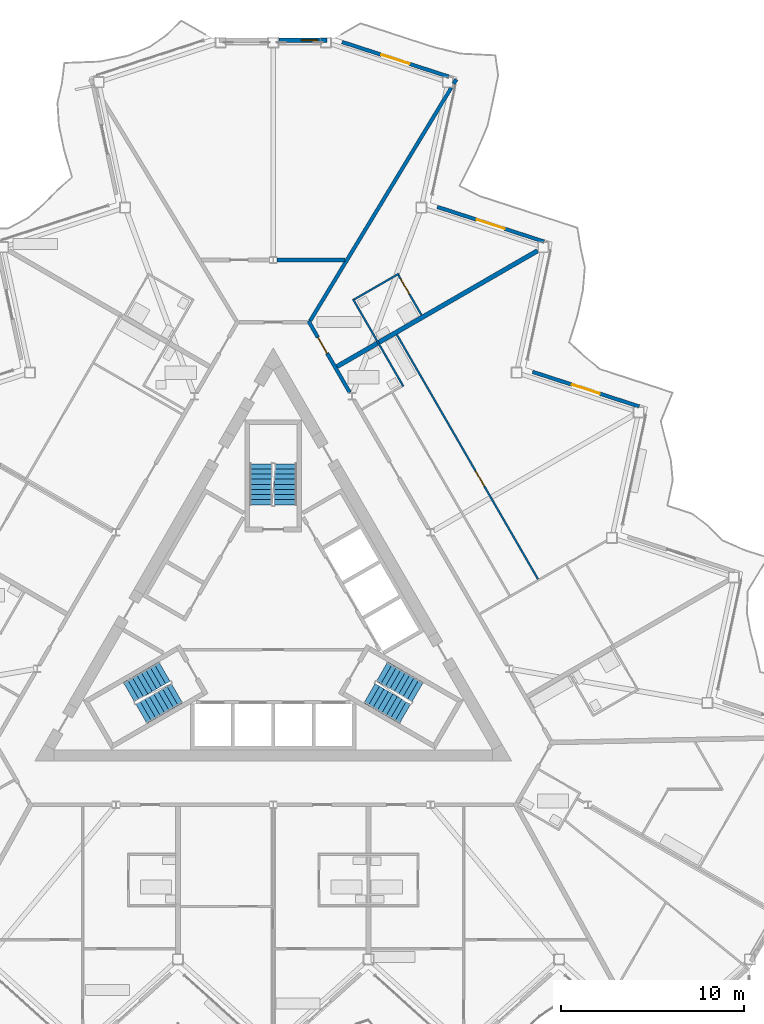
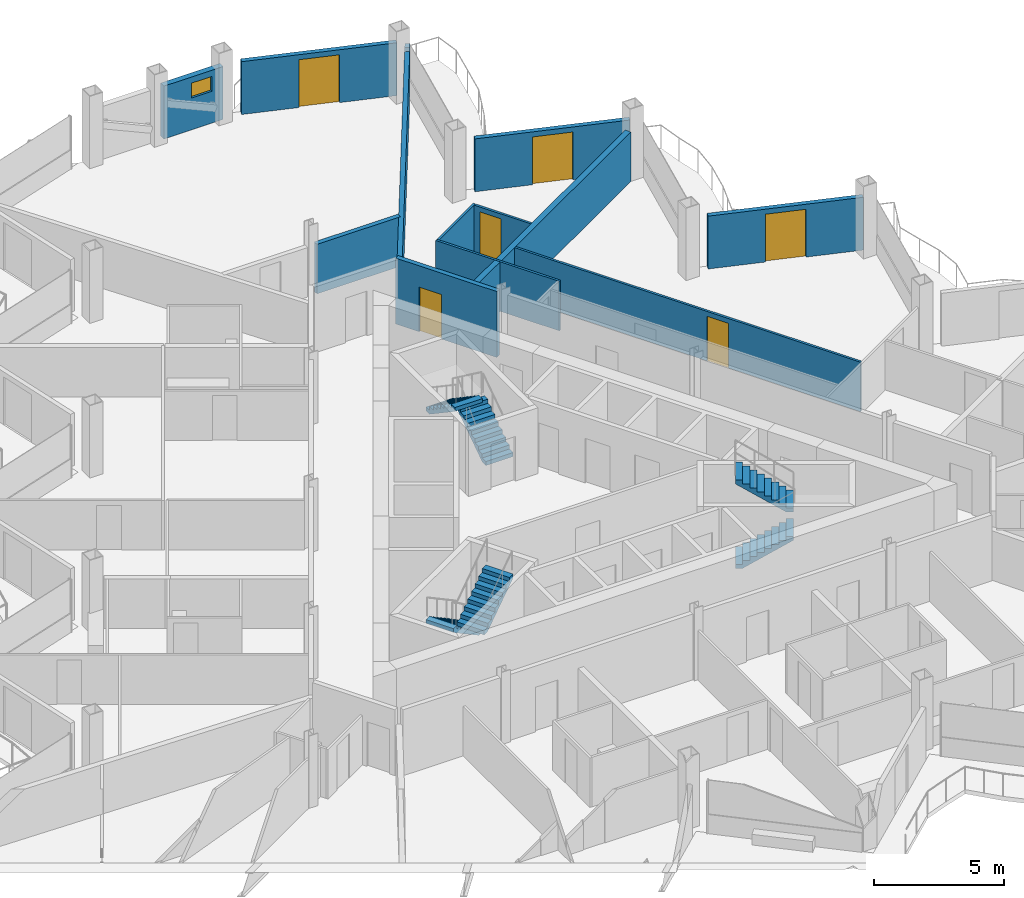
# One storey, part 19 of 27: 13 walls, 6 doors, 6 stair flights, 1 window, 7 openings, 3 elements without a shape of their own.
"""IFC4 building model written with IfcOpenShell, lengths in metres."""

from ifc_helpers import new_model, si_unit, direction, frame, frame_2d, origin, place, context, subcontext, project, spatial, polyline, rectangle, outline, extrude, material, layer, layer_set, type_object, element, fill, aggregate, save


model = new_model("IFC4")

# Units and contexts
model_context = context("Model", 3, precision=1e-05, world=origin(), true_north=direction((0.0, 1.0)))
body_context = subcontext(model_context, "Body", "Model", "MODEL_VIEW")
ifc_project = project(units=[si_unit("LENGTHUNIT", "METRE"), si_unit("AREAUNIT", "SQUARE_METRE"), si_unit("VOLUMEUNIT", "CUBIC_METRE"), si_unit("PLANEANGLEUNIT", "RADIAN"), si_unit("MASSUNIT", "GRAM", prefix="KILO")], contexts=[model_context])

# Site, building, storey
site_placement = place(None, origin())
site = spatial("IfcSite", under=ifc_project, at=site_placement, CompositionType="ELEMENT")
building_placement = place(site_placement, origin())
building = spatial("IfcBuilding", under=site, at=building_placement, Name="Cormorant Prow Tower", CompositionType="ELEMENT")
storey_placement = place(building_placement, frame((0.0, 0.0, 312.0)))
storey = spatial("IfcBuildingStorey", under=building, at=storey_placement, Name="L68", CompositionType="ELEMENT", Elevation=312.0)

# Wall, opening, door
ifc_material_1 = material(Name="Gypsum board corridor wall")
ifc_layer_1 = layer(ifc_material_1, 0.199951171875)
ifc_layer_set_1 = layer_set([ifc_layer_1], Name="Gypsum board corridor wall")
wall_type_1 = type_object("IfcWallType", Name="Corridor wall 200", PredefinedType="PARTITIONING", material=ifc_layer_set_1)
wall_1_placement = place(storey_placement, frame((1.9130859375, 16.497802734375, 0.0), z_axis=(0.0, 0.0, 1.0), x_axis=(0.499950370306, -0.866054055606, 0.0)))
wall_1 = element("IfcWall", 1, at=wall_1_placement, inside=storey, type_object=wall_type_1, Name="Corridor wall", PredefinedType="PARTITIONING", context=body_context, shape_type="SweptSolid", body=[
    extrude(rectangle(XDim=4.5126953125, YDim=0.199951171875, at=frame_2d((2.25634765625, 0.0))), origin(), (0.0, 0.0, 1.0), 3.10009765625),
])
opening_1_placement = place(wall_1_placement, frame((1.053466796875, 0.0, 0.0)))
opening_1 = element("IfcOpeningElement", 2, at=opening_1_placement, cuts=wall_1, Name="Opening L68-F31", PredefinedType="OPENING", context=body_context, shape_type="SweptSolid", body=[
    extrude(rectangle(XDim=1.0, YDim=2.10009765625, at=frame_2d((0.5, 1.050048828125))), frame((0.0, 0.10986328125, 0.0), z_axis=(0.0, -1.0, 0.0), x_axis=(1.0, 0.0, 0.0)), (0.0, 0.0, 1.0), 0.219970703125),
])
ifc_material_2 = material(Name="Timber door leaf", Category="wood")
door_type_1 = type_object("IfcDoorType", Name="Flat or room entrance door 1000x2100", OperationType="NOTDEFINED", PredefinedType="DOOR", material=ifc_material_2)
door_1_placement = place(opening_1_placement, origin())
door_1 = element("IfcDoor", 3, at=door_1_placement, inside=storey, type_object=door_type_1, Name="Studio living, kitchen and sleeping room door", OperationType="SINGLE_SWING_RIGHT", OverallHeight=2.10009765625, OverallWidth=1.0, PredefinedType="DOOR", context=body_context, shape_type="SweptSolid", body=[
    extrude(rectangle(XDim=1.0, YDim=2.10009765625, at=frame_2d((0.5, 1.050048828125))), frame((0.0, 0.02490234375, 0.0), z_axis=(0.0, -1.0, 0.0), x_axis=(1.0, 0.0, 0.0)), (0.0, 0.0, 1.0), 0.050048828125),
])
fill(opening_1, door_1)

# Walls
ifc_material_3 = material(Name="Gypsum board demising wall")
ifc_layer_2 = layer(ifc_material_3, 0.199951171875)
ifc_layer_set_2 = layer_set([ifc_layer_2], Name="Gypsum board demising wall")
wall_type_2 = type_object("IfcWallType", Name="Demising wall 200", PredefinedType="PARTITIONING", material=ifc_layer_set_2)
wall_2_placement = place(storey_placement, frame((2.014892578125, 16.49658203125, 0.0), z_axis=(0.0, 0.0, 1.0), x_axis=(0.517779253395, 0.855514257482, 0.0)))
element("IfcWall", 4, at=wall_2_placement, inside=storey, type_object=wall_type_2, Name="Demising wall", PredefinedType="PARTITIONING", context=body_context, shape_type="SweptSolid", body=[
    extrude(rectangle(XDim=14.853759765625, YDim=0.199951171875, at=frame_2d((7.4267578125, 0.0))), origin(), (0.0, 0.0, 1.0), 2.330078125),
])
wall_3_placement = place(storey_placement, frame((0.207763671875, 19.81103515625, 0.0), z_axis=(0.0, 0.0, 1.0), x_axis=(1.0, 0.0, 0.0)))
element("IfcWall", 5, at=wall_3_placement, inside=storey, type_object=wall_type_2, Name="Demising wall", PredefinedType="PARTITIONING", context=body_context, shape_type="SweptSolid", body=[
    extrude(rectangle(XDim=3.71826171875, YDim=0.199951171875, at=frame_2d((1.859130859375, 0.0))), origin(), (0.0, 0.0, 1.0), 2.330078125),
])
wall_4_placement = place(storey_placement, frame((9.83740234375, 29.421630859375, 0.0), z_axis=(0.0, 0.0, 1.0), x_axis=(0.517419338909, 0.855731983581, 0.0)))
element("IfcWall", 6, at=wall_4_placement, inside=storey, type_object=wall_type_2, Name="Demising wall", PredefinedType="PARTITIONING", context=body_context, shape_type="SweptSolid", body=[
    extrude(rectangle(XDim=0.2822265625, YDim=0.199951171875, at=frame_2d((0.14111328125, 0.0))), origin(), (0.0, 0.0, 1.0), 2.330078125),
])

# Wall, opening, door
ifc_material_4 = material(Name="Gypsum board partition")
ifc_layer_3 = layer(ifc_material_4, 0.10009765625)
ifc_layer_set_3 = layer_set([ifc_layer_3], Name="Gypsum board partition")
wall_type_3 = type_object("IfcWallType", Name="Internal partition 100", PredefinedType="PARTITIONING", material=ifc_layer_set_3)
wall_5_placement = place(storey_placement, frame((6.73974609375, 15.7392578125, 0.0), z_axis=(0.0, 0.0, 1.0), x_axis=(0.499995022685, -0.86602827742, 0.0)))
wall_5 = element("IfcWall", 7, at=wall_5_placement, inside=storey, type_object=wall_type_3, Name="Internal partition", PredefinedType="PARTITIONING", context=body_context, shape_type="SweptSolid", body=[
    extrude(rectangle(XDim=15.403564453125, YDim=0.10009765625, at=frame_2d((7.70166015625, 0.0))), origin(), (0.0, 0.0, 1.0), 2.330078125),
])
opening_2_placement = place(wall_5_placement, frame((8.58203125, 0.0, 0.0)))
opening_2 = element("IfcOpeningElement", 8, at=opening_2_placement, cuts=wall_5, Name="Opening L68-F28", PredefinedType="OPENING", context=body_context, shape_type="SweptSolid", body=[
    extrude(rectangle(XDim=0.949951171875, YDim=2.10009765625, at=frame_2d((0.47509765625, 1.050048828125))), frame((0.0, 0.06005859375, 0.0), z_axis=(0.0, -1.0, 0.0), x_axis=(1.0, 0.0, 0.0)), (0.0, 0.0, 1.0), 0.1201171875),
])
ifc_material_5 = material(Name="Timber door leaf", Category="wood")
door_type_2 = type_object("IfcDoorType", Name="Bathroom door 950x2100", OperationType="NOTDEFINED", PredefinedType="DOOR", material=ifc_material_5)
door_2_placement = place(opening_2_placement, origin())
door_2 = element("IfcDoor", 9, at=door_2_placement, inside=storey, type_object=door_type_2, Name="Kitchen door", OperationType="SINGLE_SWING_RIGHT", OverallHeight=2.10009765625, OverallWidth=0.949951171875, PredefinedType="DOOR", context=body_context, shape_type="SweptSolid", body=[
    extrude(rectangle(XDim=0.949951171875, YDim=2.10009765625, at=frame_2d((0.47509765625, 1.050048828125))), frame((0.0, 0.02490234375, 0.0), z_axis=(0.0, -1.0, 0.0), x_axis=(1.0, 0.0, 0.0)), (0.0, 0.0, 1.0), 0.050048828125),
])
fill(opening_2, door_2)

# Walls
wall_6_placement = place(storey_placement, frame((4.348876953125, 17.6787109375, 0.0), z_axis=(0.0, 0.0, 1.0), x_axis=(0.49997732567, -0.866038494419, 0.0)))
element("IfcWall", 10, at=wall_6_placement, inside=storey, type_object=wall_type_3, Name="Internal partition", PredefinedType="PARTITIONING", context=body_context, shape_type="SweptSolid", body=[
    extrude(rectangle(XDim=5.500244140625, YDim=0.10009765625, at=frame_2d((2.75, 0.0))), origin(), (0.0, 0.0, 1.0), 2.330078125),
])
wall_7_placement = place(storey_placement, frame((4.417236328125, 17.660400390625, 0.0), z_axis=(0.0, 0.0, 1.0), x_axis=(0.866034573852, 0.49998411664, 0.0)))
element("IfcWall", 11, at=wall_7_placement, inside=storey, type_object=wall_type_3, Name="Internal partition", PredefinedType="PARTITIONING", context=body_context, shape_type="SweptSolid", body=[
    extrude(rectangle(XDim=2.7998046875, YDim=0.10009765625, at=frame_2d((1.39990234375, 0.0))), origin(), (0.0, 0.0, 1.0), 2.330078125),
])

# Wall, opening, door
wall_8_placement = place(storey_placement, frame((6.82373046875, 18.991943359375, 0.0), z_axis=(0.0, 0.0, 1.0), x_axis=(0.50001820224, -0.866014894461, 0.0)))
wall_8 = element("IfcWall", 12, at=wall_8_placement, inside=storey, type_object=wall_type_3, Name="Internal partition", PredefinedType="PARTITIONING", context=body_context, shape_type="SweptSolid", body=[
    extrude(rectangle(XDim=2.52490234375, YDim=0.10009765625, at=frame_2d((1.262451171875, 0.0))), origin(), (0.0, 0.0, 1.0), 2.330078125),
])
opening_3_placement = place(wall_8_placement, frame((0.25, 0.0, 0.0)))
opening_3 = element("IfcOpeningElement", 13, at=opening_3_placement, cuts=wall_8, Name="Opening L68-F32", PredefinedType="OPENING", context=body_context, shape_type="SweptSolid", body=[
    extrude(rectangle(XDim=0.949951171875, YDim=2.10009765625, at=frame_2d((0.47509765625, 1.050048828125))), frame((0.0, 0.06005859375, 0.0), z_axis=(0.0, -1.0, 0.0), x_axis=(1.0, 0.0, 0.0)), (0.0, 0.0, 1.0), 0.1201171875),
])
door_3_placement = place(opening_3_placement, origin())
door_3 = element("IfcDoor", 14, at=door_3_placement, inside=storey, type_object=door_type_2, Name="Studio living, kitchen and sleeping room door", OperationType="SINGLE_SWING_LEFT", OverallHeight=2.10009765625, OverallWidth=0.949951171875, PredefinedType="DOOR", context=body_context, shape_type="SweptSolid", body=[
    extrude(rectangle(XDim=0.949951171875, YDim=2.10009765625, at=frame_2d((0.47509765625, 1.050048828125))), frame((0.0, 0.02490234375, 0.0), z_axis=(0.0, -1.0, 0.0), x_axis=(1.0, 0.0, 0.0)), (0.0, 0.0, 1.0), 0.050048828125),
])
fill(opening_3, door_3)

# Wall
ifc_material_6 = material(Name="Acoustic gypsum party wall")
ifc_layer_4 = layer(ifc_material_6, 0.25)
ifc_layer_set_4 = layer_set([ifc_layer_4], Name="Acoustic gypsum party wall")
wall_type_4 = type_object("IfcWallType", Name="Suite party wall 250", PredefinedType="PARTITIONING", material=ifc_layer_set_4)
wall_9_placement = place(storey_placement, frame((3.47216796875, 13.9970703125, 0.0), z_axis=(0.0, 0.0, 1.0), x_axis=(0.866029233976, 0.499993365855, 0.0)))
element("IfcWall", 15, at=wall_9_placement, inside=storey, type_object=wall_type_4, Name="Suite party wall", PredefinedType="PARTITIONING", context=body_context, shape_type="SweptSolid", body=[
    extrude(rectangle(XDim=12.637451171875, YDim=0.25, at=frame_2d((6.31884765625, 0.0))), origin(), (0.0, 0.0, 1.0), 2.330078125),
])

# Wall, opening, window
ifc_material_7 = material(Name="Terracotta", Category="masonry")
ifc_layer_5 = layer(ifc_material_7, 0.25)
ifc_layer_set_5 = layer_set([ifc_layer_5], Name="Terracotta")
wall_type_5 = type_object("IfcWallType", Name="Terracotta bay wall 250", PredefinedType="SOLIDWALL", material=ifc_layer_set_5)
wall_10_placement = place(storey_placement, frame((2.940185546875, 31.803955078125, 0.0), z_axis=(0.0, 0.0, 1.0), x_axis=(-1.0, 0.0, 0.0)))
wall_10 = element("IfcWall", 16, at=wall_10_placement, inside=storey, type_object=wall_type_5, Name="Terracotta bay wall N00", PredefinedType="SOLIDWALL", context=body_context, shape_type="SweptSolid", body=[
    extrude(rectangle(XDim=2.64013671875, YDim=0.25, at=frame_2d((1.320068359375, 0.0))), origin(), (0.0, 0.0, 1.0), 2.48779296875),
])
opening_4_placement = place(wall_10_placement, frame((0.5, 0.0, 1.5)))
opening_4 = element("IfcOpeningElement", 17, at=opening_4_placement, cuts=wall_10, Name="Opening WN8", PredefinedType="OPENING", context=body_context, shape_type="SweptSolid", body=[
    extrude(rectangle(XDim=0.89990234375, YDim=0.699951171875, at=frame_2d((0.449951171875, 0.35009765625))), frame((0.0, 0.135009765625, 0.0), z_axis=(0.0, -1.0, 0.0), x_axis=(1.0, 0.0, 0.0)), (0.0, 0.0, 1.0), 0.27001953125),
])
ifc_material_8 = material(Name="Aluminium 6063-T6", Category="aluminium")
window_type = type_object("IfcWindowType", Name="Corner bay window 900x700", PartitioningType="SINGLE_PANEL", PredefinedType="WINDOW", material=ifc_material_8)
window_placement = place(opening_4_placement, origin())
window = element("IfcWindow", 18, at=window_placement, inside=storey, type_object=window_type, Name="Corner bay window N00", OverallHeight=0.699951171875, OverallWidth=0.89990234375, PartitioningType="SINGLE_PANEL", PredefinedType="WINDOW", context=body_context, shape_type="SweptSolid", body=[
    extrude(rectangle(XDim=0.89990234375, YDim=0.699951171875, at=frame_2d((0.449951171875, 0.35009765625))), frame((0.0, 0.030029296875, 0.0), z_axis=(0.0, -1.0, 0.0), x_axis=(1.0, 0.0, 0.0)), (0.0, 0.0, 1.0), 0.06005859375),
])
fill(opening_4, window)

# Wall, opening, door
ifc_material_9 = material(Name="Terracotta", Category="masonry")
ifc_layer_6 = layer(ifc_material_9, 0.199951171875)
ifc_layer_set_6 = layer_set([ifc_layer_6], Name="Terracotta")
wall_type_6 = type_object("IfcWallType", Name="Terracotta jamb wall 200", PredefinedType="SOLIDWALL", material=ifc_layer_set_6)
wall_11_placement = place(storey_placement, frame((19.961669921875, 11.820068359375, 0.0), z_axis=(0.0, 0.0, 1.0), x_axis=(-0.951053709789, 0.309025631781, 0.0)))
wall_11 = element("IfcWall", 19, at=wall_11_placement, inside=storey, type_object=wall_type_6, Name="Terracotta jamb wall ENE05", PredefinedType="SOLIDWALL", context=body_context, shape_type="SweptSolid", body=[
    extrude(rectangle(XDim=6.11962890625, YDim=0.199951171875, at=frame_2d((3.059814453125, 0.0))), origin(), (0.0, 0.0, 1.0), 2.48779296875),
])
opening_5_placement = place(wall_11_placement, frame((2.259765625, 0.0, 0.0)))
opening_5 = element("IfcOpeningElement", 20, at=opening_5_placement, cuts=wall_11, Name="Opening ED68.08", PredefinedType="OPENING", context=body_context, shape_type="SweptSolid", body=[
    extrude(rectangle(XDim=1.60009765625, YDim=2.25, at=frame_2d((0.800048828125, 1.125))), frame((0.0, 0.10986328125, 0.0), z_axis=(0.0, -1.0, 0.0), x_axis=(1.0, 0.0, 0.0)), (0.0, 0.0, 1.0), 0.219970703125),
])
ifc_material_10 = material(Name="Aluminium 6063-T6", Category="aluminium")
door_type_3 = type_object("IfcDoorType", Name="Balcony door 1600x2250", OperationType="DOUBLE_DOOR_SINGLE_SWING", PredefinedType="DOOR", material=ifc_material_10)
door_4_placement = place(opening_5_placement, origin())
door_4 = element("IfcDoor", 21, at=door_4_placement, inside=storey, type_object=door_type_3, Name="Balcony door ENE05 ED68.08", OperationType="DOUBLE_DOOR_SINGLE_SWING", OverallHeight=2.25, OverallWidth=1.60009765625, PredefinedType="DOOR", context=body_context, shape_type="SweptSolid", body=[
    extrude(rectangle(XDim=1.60009765625, YDim=2.25, at=frame_2d((0.800048828125, 1.125))), frame((0.0, 0.02490234375, 0.0), z_axis=(0.0, -1.0, 0.0), x_axis=(1.0, 0.0, 0.0)), (0.0, 0.0, 1.0), 0.050048828125),
])
fill(opening_5, door_4)

wall_12_placement = place(storey_placement, frame((14.76904296875, 20.814453125, 0.0), z_axis=(0.0, 0.0, 1.0), x_axis=(-0.951069243123, 0.308977822483, 0.0)))
wall_12 = element("IfcWall", 22, at=wall_12_placement, inside=storey, type_object=wall_type_6, Name="Terracotta jamb wall ENE07", PredefinedType="SOLIDWALL", context=body_context, shape_type="SweptSolid", body=[
    extrude(rectangle(XDim=6.119873046875, YDim=0.199951171875, at=frame_2d((3.06005859375, 0.0))), origin(), (0.0, 0.0, 1.0), 2.48779296875),
])
opening_6_placement = place(wall_12_placement, frame((2.259765625, 0.0, 0.0)))
opening_6 = element("IfcOpeningElement", 23, at=opening_6_placement, cuts=wall_12, Name="Opening ED68.09", PredefinedType="OPENING", context=body_context, shape_type="SweptSolid", body=[
    extrude(rectangle(XDim=1.60009765625, YDim=2.25, at=frame_2d((0.800048828125, 1.125))), frame((0.0, 0.10986328125, 0.0), z_axis=(0.0, -1.0, 0.0), x_axis=(1.0, 0.0, 0.0)), (0.0, 0.0, 1.0), 0.219970703125),
])
door_5_placement = place(opening_6_placement, origin())
door_5 = element("IfcDoor", 24, at=door_5_placement, inside=storey, type_object=door_type_3, Name="Balcony door ENE07 ED68.09", OperationType="DOUBLE_DOOR_SINGLE_SWING", OverallHeight=2.25, OverallWidth=1.60009765625, PredefinedType="DOOR", context=body_context, shape_type="SweptSolid", body=[
    extrude(rectangle(XDim=1.60009765625, YDim=2.25, at=frame_2d((0.800048828125, 1.125))), frame((0.0, 0.02490234375, 0.0), z_axis=(0.0, -1.0, 0.0), x_axis=(1.0, 0.0, 0.0)), (0.0, 0.0, 1.0), 0.050048828125),
])
fill(opening_6, door_5)

wall_13_placement = place(storey_placement, frame((9.576171875, 29.80859375, 0.0), z_axis=(0.0, 0.0, 1.0), x_axis=(-0.951053709789, 0.309025631781, 0.0)))
wall_13 = element("IfcWall", 25, at=wall_13_placement, inside=storey, type_object=wall_type_6, Name="Terracotta jamb wall ENE09", PredefinedType="SOLIDWALL", context=body_context, shape_type="SweptSolid", body=[
    extrude(rectangle(XDim=6.11962890625, YDim=0.199951171875, at=frame_2d((3.059814453125, 0.0))), origin(), (0.0, 0.0, 1.0), 2.48779296875),
])
opening_7_placement = place(wall_13_placement, frame((2.259765625, 0.0, 0.0)))
opening_7 = element("IfcOpeningElement", 26, at=opening_7_placement, cuts=wall_13, Name="Opening ED68.10", PredefinedType="OPENING", context=body_context, shape_type="SweptSolid", body=[
    extrude(rectangle(XDim=1.60009765625, YDim=2.25, at=frame_2d((0.800048828125, 1.125))), frame((0.0, 0.10986328125, 0.0), z_axis=(0.0, -1.0, 0.0), x_axis=(1.0, 0.0, 0.0)), (0.0, 0.0, 1.0), 0.219970703125),
])
door_6_placement = place(opening_7_placement, origin())
door_6 = element("IfcDoor", 27, at=door_6_placement, inside=storey, type_object=door_type_3, Name="Balcony door ENE09 ED68.10", OperationType="DOUBLE_DOOR_SINGLE_SWING", OverallHeight=2.25, OverallWidth=1.60009765625, PredefinedType="DOOR", context=body_context, shape_type="SweptSolid", body=[
    extrude(rectangle(XDim=1.60009765625, YDim=2.25, at=frame_2d((0.800048828125, 1.125))), frame((0.0, 0.02490234375, 0.0), z_axis=(0.0, -1.0, 0.0), x_axis=(1.0, 0.0, 0.0)), (0.0, 0.0, 1.0), 0.050048828125),
])
fill(opening_7, door_6)

# Stair, stair flights
ifc_material_11 = material(Name="Exit stair 18 risers")
stair_type = type_object("IfcStairType", Name="Exit stair 18 risers", PredefinedType="HALF_TURN_STAIR", material=ifc_material_11)
stair_1_placement = place(storey_placement, origin())
stair_1 = element("IfcStair", 28, at=stair_1_placement, inside=storey, type_object=stair_type, Name="L68 Exit stair ST1", PredefinedType="HALF_TURN_STAIR")
ifc_material_12 = material(Name="Concrete 5000 psi", Category="concrete")
stair_flight_type = type_object("IfcStairFlightType", Name="Stair flight 1219", PredefinedType="STRAIGHT", material=ifc_material_12)
stair_flight_1_placement = place(storey_placement, frame((-5.93310546875, -2.635009765625, 0.0), z_axis=(0.0, 0.0, 1.0), x_axis=(-0.866025403784, -0.5, 0.0)))
stair_flight_1 = element("IfcStairFlight", 29, at=stair_flight_1_placement, type_object=stair_flight_type, Name="ST1 flight 1", NumberOfRisers=9, NumberOfTreads=8, PredefinedType="STRAIGHT", RiserHeight=0.188888889, TreadLength=0.28, context=body_context, shape_type="SweptSolid", body=[
    extrude(outline(polyline([(0.0, 0.0), (0.0, 0.18896484375), (0.280029296875, 0.18896484375), (0.280029296875, 0.377685546875), (0.56005859375, 0.377685546875), (0.56005859375, 0.566650390625), (0.840087890625, 0.566650390625), (0.840087890625, 0.755615234375), (1.1201171875, 0.755615234375), (1.1201171875, 0.9443359375), (1.39990234375, 0.9443359375), (1.39990234375, 1.13330078125), (1.679931640625, 1.13330078125), (1.679931640625, 1.322265625), (1.9599609375, 1.322265625), (1.9599609375, 1.51123046875), (2.239990234375, 1.51123046875), (2.239990234375, 1.699951171875), (2.239990234375, 1.330322265625), (0.26806640625, 0.0), (0.0, 0.0)])), frame((0.0, 0.609375, 0.0), z_axis=(0.0, -1.0, 0.0), x_axis=(1.0, 0.0, 0.0)), (0.0, 0.0, 1.0), 1.218994140625),
])
stair_flight_2_placement = place(storey_placement, frame((-7.1884765625, -4.940673828125, 1.699951171875), z_axis=(0.0, 0.0, 1.0), x_axis=(0.866025403784, 0.5, 0.0)))
stair_flight_2 = element("IfcStairFlight", 30, at=stair_flight_2_placement, type_object=stair_flight_type, Name="ST1 flight 2", NumberOfRisers=9, NumberOfTreads=8, PredefinedType="STRAIGHT", RiserHeight=0.188888889, TreadLength=0.28, context=body_context, shape_type="SweptSolid", body=[
    extrude(outline(polyline([(0.0, 0.0), (0.0, 0.18896484375), (0.280029296875, 0.18896484375), (0.280029296875, 0.377685546875), (0.56005859375, 0.377685546875), (0.56005859375, 0.566650390625), (0.840087890625, 0.566650390625), (0.840087890625, 0.755615234375), (1.1201171875, 0.755615234375), (1.1201171875, 0.9443359375), (1.39990234375, 0.9443359375), (1.39990234375, 1.13330078125), (1.679931640625, 1.13330078125), (1.679931640625, 1.322265625), (1.9599609375, 1.322265625), (1.9599609375, 1.51123046875), (2.239990234375, 1.51123046875), (2.239990234375, 1.699951171875), (2.239990234375, 1.330322265625), (0.26806640625, 0.0), (0.0, 0.0)])), frame((0.0, 0.609375, 0.0), z_axis=(0.0, -1.0, 0.0), x_axis=(1.0, 0.0, 0.0)), (0.0, 0.0, 1.0), 1.218994140625),
])
aggregate(stair_1, [stair_flight_1, stair_flight_2])

stair_2_placement = place(storey_placement, origin())
stair_2 = element("IfcStair", 31, at=stair_2_placement, inside=storey, type_object=stair_type, Name="L68 Exit stair ST2", PredefinedType="HALF_TURN_STAIR")
stair_flight_3_placement = place(storey_placement, frame((5.24853515625, -3.82080078125, 0.0), z_axis=(0.0, 0.0, 1.0), x_axis=(0.866025403784, -0.5, 0.0)))
stair_flight_3 = element("IfcStairFlight", 32, at=stair_flight_3_placement, type_object=stair_flight_type, Name="ST2 flight 1", NumberOfRisers=9, NumberOfTreads=8, PredefinedType="STRAIGHT", RiserHeight=0.188888889, TreadLength=0.28, context=body_context, shape_type="SweptSolid", body=[
    extrude(outline(polyline([(0.0, 0.0), (0.0, 0.18896484375), (0.280029296875, 0.18896484375), (0.280029296875, 0.377685546875), (0.56005859375, 0.377685546875), (0.56005859375, 0.566650390625), (0.840087890625, 0.566650390625), (0.840087890625, 0.755615234375), (1.1201171875, 0.755615234375), (1.1201171875, 0.9443359375), (1.39990234375, 0.9443359375), (1.39990234375, 1.13330078125), (1.679931640625, 1.13330078125), (1.679931640625, 1.322265625), (1.9599609375, 1.322265625), (1.9599609375, 1.51123046875), (2.239990234375, 1.51123046875), (2.239990234375, 1.699951171875), (2.239990234375, 1.330322265625), (0.26806640625, 0.0), (0.0, 0.0)])), frame((0.0, 0.609375, 0.0), z_axis=(0.0, -1.0, 0.0), x_axis=(1.0, 0.0, 0.0)), (0.0, 0.0, 1.0), 1.218994140625),
])
stair_flight_4_placement = place(storey_placement, frame((7.873046875, -3.755126953125, 1.699951171875), z_axis=(0.0, 0.0, 1.0), x_axis=(-0.866025403784, 0.5, 0.0)))
stair_flight_4 = element("IfcStairFlight", 33, at=stair_flight_4_placement, type_object=stair_flight_type, Name="ST2 flight 2", NumberOfRisers=9, NumberOfTreads=8, PredefinedType="STRAIGHT", RiserHeight=0.188888889, TreadLength=0.28, context=body_context, shape_type="SweptSolid", body=[
    extrude(outline(polyline([(0.0, 0.0), (0.0, 0.18896484375), (0.280029296875, 0.18896484375), (0.280029296875, 0.377685546875), (0.56005859375, 0.377685546875), (0.56005859375, 0.566650390625), (0.840087890625, 0.566650390625), (0.840087890625, 0.755615234375), (1.1201171875, 0.755615234375), (1.1201171875, 0.9443359375), (1.39990234375, 0.9443359375), (1.39990234375, 1.13330078125), (1.679931640625, 1.13330078125), (1.679931640625, 1.322265625), (1.9599609375, 1.322265625), (1.9599609375, 1.51123046875), (2.239990234375, 1.51123046875), (2.239990234375, 1.699951171875), (2.239990234375, 1.330322265625), (0.26806640625, 0.0), (0.0, 0.0)])), frame((0.0, 0.609375, 0.0), z_axis=(0.0, -1.0, 0.0), x_axis=(1.0, 0.0, 0.0)), (0.0, 0.0, 1.0), 1.218994140625),
])
aggregate(stair_2, [stair_flight_3, stair_flight_4])

stair_3_placement = place(storey_placement, origin())
stair_3 = element("IfcStair", 34, at=stair_3_placement, inside=storey, type_object=stair_type, Name="L68 Exit stair ST3", PredefinedType="HALF_TURN_STAIR")
stair_flight_5_placement = place(storey_placement, frame((0.6845703125, 6.455810546875, 0.0), z_axis=(0.0, 0.0, 1.0), x_axis=(0.0, 1.0, 0.0)))
stair_flight_5 = element("IfcStairFlight", 35, at=stair_flight_5_placement, type_object=stair_flight_type, Name="ST3 flight 1", NumberOfRisers=9, NumberOfTreads=8, PredefinedType="STRAIGHT", RiserHeight=0.188888889, TreadLength=0.28, context=body_context, shape_type="SweptSolid", body=[
    extrude(outline(polyline([(0.0, 0.0), (0.0, 0.18896484375), (0.280029296875, 0.18896484375), (0.280029296875, 0.377685546875), (0.56005859375, 0.377685546875), (0.56005859375, 0.566650390625), (0.840087890625, 0.566650390625), (0.840087890625, 0.755615234375), (1.1201171875, 0.755615234375), (1.1201171875, 0.9443359375), (1.39990234375, 0.9443359375), (1.39990234375, 1.13330078125), (1.679931640625, 1.13330078125), (1.679931640625, 1.322265625), (1.9599609375, 1.322265625), (1.9599609375, 1.51123046875), (2.239990234375, 1.51123046875), (2.239990234375, 1.699951171875), (2.239990234375, 1.330322265625), (0.26806640625, 0.0), (0.0, 0.0)])), frame((0.0, 0.609375, 0.0), z_axis=(0.0, -1.0, 0.0), x_axis=(1.0, 0.0, 0.0)), (0.0, 0.0, 1.0), 1.218994140625),
])
stair_flight_6_placement = place(storey_placement, frame((-0.6845703125, 8.69580078125, 1.699951171875), z_axis=(0.0, 0.0, 1.0), x_axis=(0.0, -1.0, 0.0)))
stair_flight_6 = element("IfcStairFlight", 36, at=stair_flight_6_placement, type_object=stair_flight_type, Name="ST3 flight 2", NumberOfRisers=9, NumberOfTreads=8, PredefinedType="STRAIGHT", RiserHeight=0.188888889, TreadLength=0.28, context=body_context, shape_type="SweptSolid", body=[
    extrude(outline(polyline([(0.0, 0.0), (0.0, 0.18896484375), (0.280029296875, 0.18896484375), (0.280029296875, 0.377685546875), (0.56005859375, 0.377685546875), (0.56005859375, 0.566650390625), (0.840087890625, 0.566650390625), (0.840087890625, 0.755615234375), (1.1201171875, 0.755615234375), (1.1201171875, 0.9443359375), (1.39990234375, 0.9443359375), (1.39990234375, 1.13330078125), (1.679931640625, 1.13330078125), (1.679931640625, 1.322265625), (1.9599609375, 1.322265625), (1.9599609375, 1.51123046875), (2.239990234375, 1.51123046875), (2.239990234375, 1.699951171875), (2.239990234375, 1.330322265625), (0.26806640625, 0.0), (0.0, 0.0)])), frame((0.0, 0.609375, 0.0), z_axis=(0.0, -1.0, 0.0), x_axis=(1.0, 0.0, 0.0)), (0.0, 0.0, 1.0), 1.218994140625),
])
aggregate(stair_3, [stair_flight_5, stair_flight_6])

save(model, "model.ifc")
